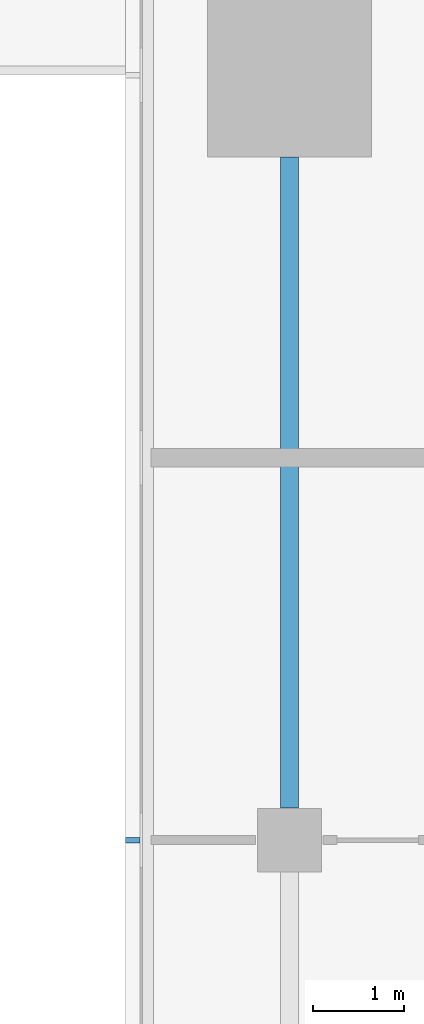
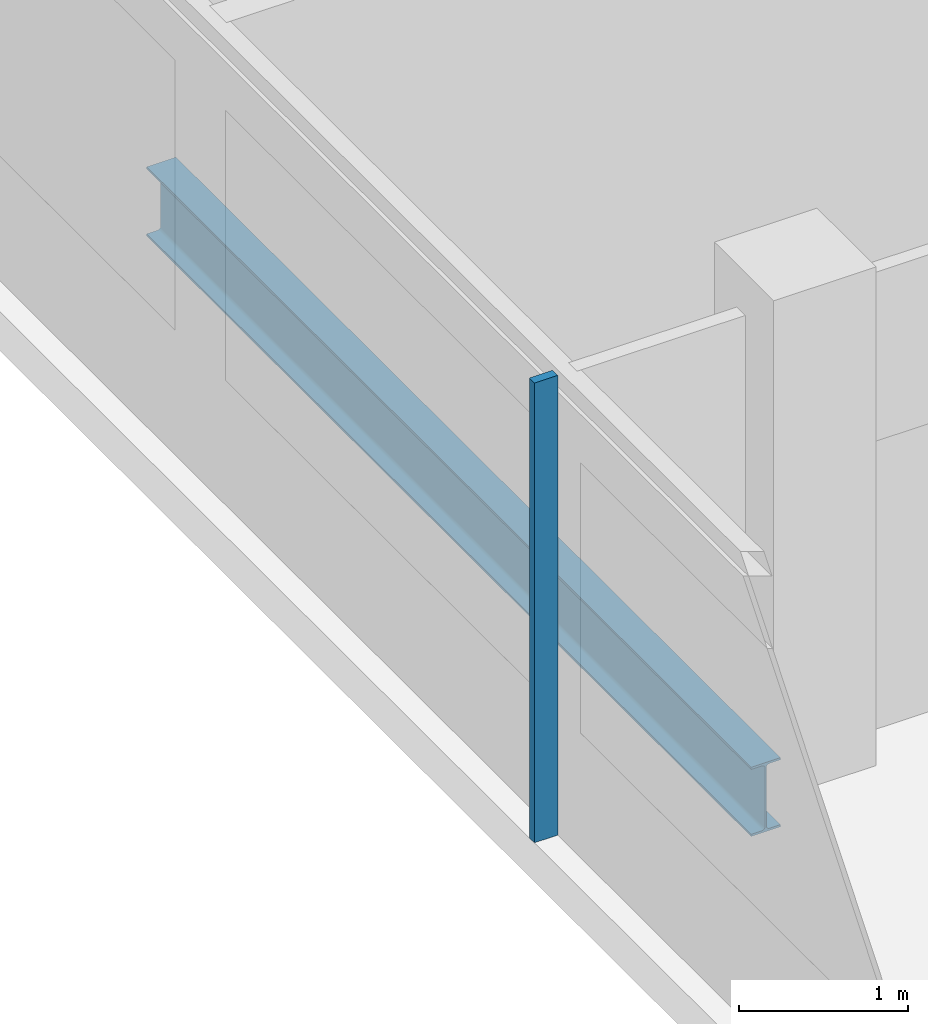
# One storey, part 4 of 30: 1 beam, 1 member, 1 element without a shape of its own.
"""IFC4 building model written with IfcOpenShell, lengths in metres."""

from ifc_helpers import new_model, si_unit, direction, frame, origin, origin_2d, place, context, subcontext, project, spatial, rectangle, i_section, extrude, material, material_profile, profile_set, type_object, element, aggregate, save


model = new_model("IFC4")

# Units and contexts
model_context = context("Model", 3, precision=1e-05, world=origin(), true_north=direction((0.0, 1.0)))
body_context = subcontext(model_context, "Body", "Model", "MODEL_VIEW")
ifc_project = project(units=[si_unit("LENGTHUNIT", "METRE"), si_unit("AREAUNIT", "SQUARE_METRE"), si_unit("VOLUMEUNIT", "CUBIC_METRE"), si_unit("PLANEANGLEUNIT", "RADIAN"), si_unit("MASSUNIT", "GRAM", prefix="KILO")], contexts=[model_context])

# Site, building, storey
site_placement = place(None, origin())
site = spatial("IfcSite", under=ifc_project, at=site_placement, CompositionType="ELEMENT")
building_placement = place(site_placement, origin())
building = spatial("IfcBuilding", under=site, at=building_placement, Name="Saffron Gate Tower", CompositionType="ELEMENT")
storey_placement = place(building_placement, frame((0.0, 0.0, 165.449951171875)))
storey = spatial("IfcBuildingStorey", under=building, at=storey_placement, Name="L40", CompositionType="ELEMENT", Elevation=165.449951171875)

# Beam
ifc_material_1 = material(Name="Structural steel S355", Category="steel")
ifc_material_profile_1 = material_profile(ifc_material_1, i_section(OverallWidth=0.199951171875, OverallDepth=0.5, WebThickness=0.01025390625, FlangeThickness=0.01611328125, FilletRadius=0.02099609375, at=origin_2d()))
ifc_profile_set_1 = profile_set([ifc_material_profile_1], Name="Structural steel S355")
beam_type = type_object("IfcBeamType", Name="B11 IPE 500", PredefinedType="SPANDREL", material=ifc_profile_set_1)
beam_placement = place(storey_placement, frame((49.800048828125, 57.35009765625, -0.530029296875), z_axis=(0.0, 1.0, 0.0), x_axis=(-1.0, 0.0, 0.0)))
element("IfcBeam", 1, at=beam_placement, inside=storey, type_object=beam_type, Name="B11 SPANDREL BEAM", PredefinedType="SPANDREL", context=body_context, shape_type="SweptSolid", body=[
    extrude(i_section(OverallWidth=0.199951171875, OverallDepth=0.5, WebThickness=0.01025390625, FlangeThickness=0.01611328125, FilletRadius=0.02099609375, at=origin_2d()), origin(), (0.0, 0.0, 1.0), 7.14990234375),
])

# Curtain wall, member
ifc_material_2 = material(Name="Aluminium, bronze anodised", Category="aluminium")
curtain_wall_type = type_object("IfcCurtainWallType", Name="CWS2 curtain wall side facades", PredefinedType="NOTDEFINED", material=ifc_material_2)
curtain_wall_placement = place(storey_placement, origin())
curtain_wall = element("IfcCurtainWall", 2, at=curtain_wall_placement, inside=storey, type_object=curtain_wall_type, Name="CWS2 run 10", PredefinedType="NOTDEFINED")
ifc_material_profile_2 = material_profile(ifc_material_2, rectangle(XDim=0.159912109375, YDim=0.06005859375, at=origin_2d()))
ifc_profile_set_2 = profile_set([ifc_material_profile_2], Name="Aluminium, bronze anodised")
member_type = type_object("IfcMemberType", Name="CWS2 mullion 60x160", PredefinedType="MULLION", material=ifc_profile_set_2)
member_placement = place(storey_placement, frame((48.080078125, 57.0, 0.0), z_axis=(0.0, 0.0, 1.0), x_axis=(1.0, 0.0, 0.0)))
member = element("IfcMember", 3, at=member_placement, type_object=member_type, Name="CWS2 mullion 3", PredefinedType="MULLION", context=body_context, shape_type="SweptSolid", body=[
    extrude(rectangle(XDim=0.159912109375, YDim=0.06005859375, at=origin_2d()), origin(), (0.0, 0.0, 1.0), 3.320068359375),
])
aggregate(curtain_wall, [member])

save(model, "model.ifc")
